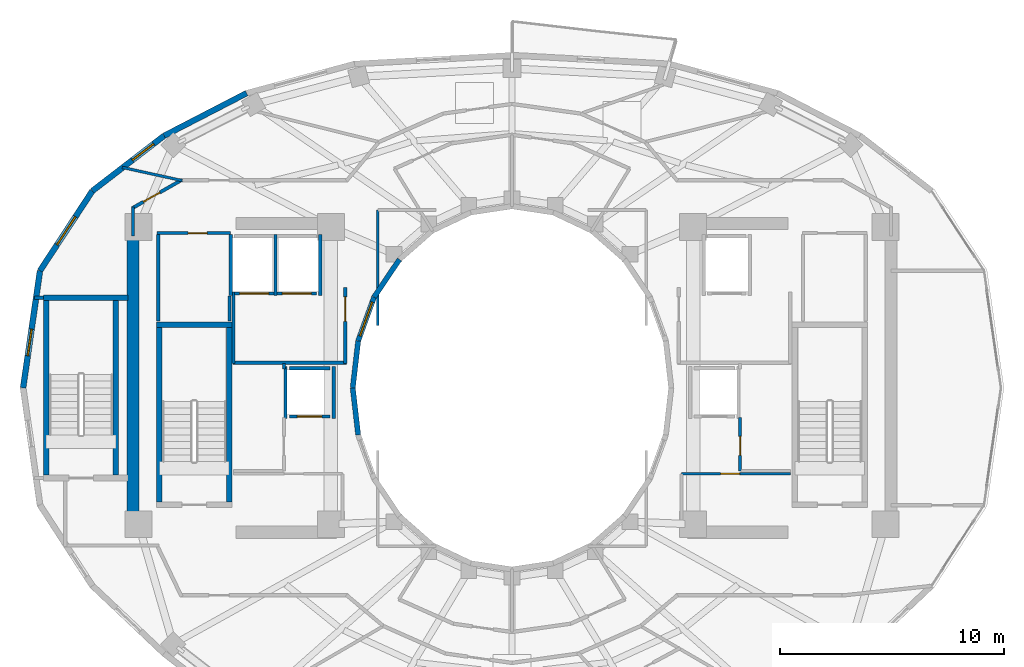
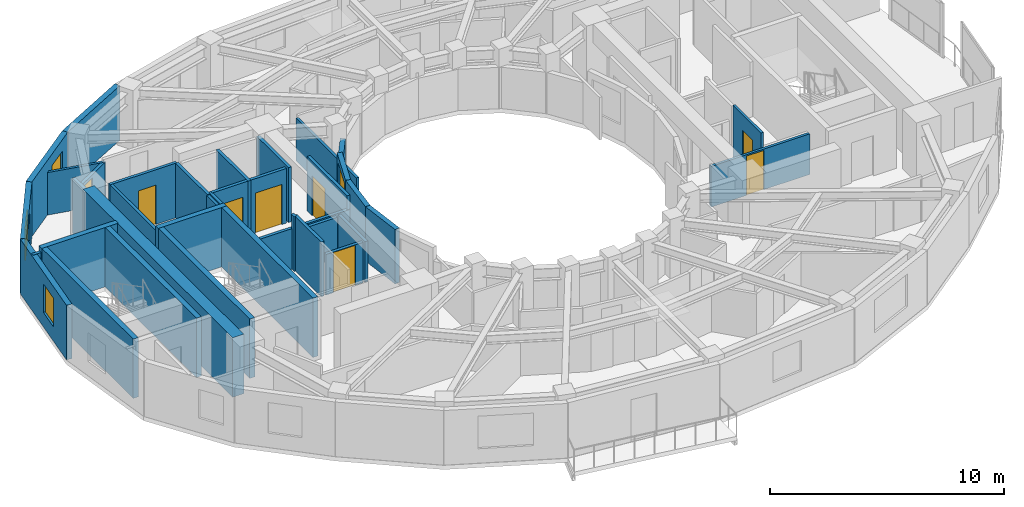
# One storey, part 7 of 12: 38 walls, 8 doors, 4 windows, 12 openings.
"""IFC4 building model written with IfcOpenShell, lengths in metres."""

from ifc_helpers import new_model, si_unit, direction, frame, frame_2d, origin, place, context, subcontext, project, spatial, rectangle, extrude, material, layer, layer_set, type_object, element, fill, save


model = new_model("IFC4")

# Units and contexts
model_context = context("Model", 3, precision=1e-05, world=origin(), true_north=direction((0.0, 1.0)))
body_context = subcontext(model_context, "Body", "Model", "MODEL_VIEW")
ifc_project = project(units=[si_unit("LENGTHUNIT", "METRE"), si_unit("AREAUNIT", "SQUARE_METRE"), si_unit("VOLUMEUNIT", "CUBIC_METRE"), si_unit("PLANEANGLEUNIT", "RADIAN"), si_unit("MASSUNIT", "GRAM", prefix="KILO")], contexts=[model_context])

# Site, building, storey
site_placement = place(None, origin())
site = spatial("IfcSite", under=ifc_project, at=site_placement, CompositionType="ELEMENT")
building_placement = place(site_placement, origin())
building = spatial("IfcBuilding", under=site, at=building_placement, Name="Solvane Sanctuary Tower", CompositionType="ELEMENT")
storey_placement = place(building_placement, frame((0.0, 0.0, 214.0)))
storey = spatial("IfcBuildingStorey", under=building, at=storey_placement, Name="L65", CompositionType="ELEMENT", Elevation=214.0)

# Walls
ifc_material_1 = material(Name="Concrete C50/60", Category="concrete")
ifc_layer_1 = layer(ifc_material_1, 0.550048828125, Name="Concrete C50/60")
ifc_layer_set_1 = layer_set([ifc_layer_1], Name="Concrete C50/60")
wall_type_1 = type_object("IfcWallType", Name="Wall W-CORE-550", PredefinedType="SHEAR", material=ifc_layer_set_1)
wall_1_placement = place(storey_placement, frame((15.050048828125, 17.050048828125, 0.0), z_axis=(0.0, 0.0, 1.0), x_axis=(0.0, 1.0, 0.0)))
element("IfcWall", 1, at=wall_1_placement, inside=storey, type_object=wall_type_1, Name="L65 Core Shear Wall WC-W", PredefinedType="SHEAR", context=body_context, shape_type="SweptSolid", body=[
    extrude(rectangle(XDim=12.800048828125, YDim=0.550048828125, at=frame_2d((6.39990234375, 0.0))), origin(), (0.0, 0.0, 1.0), 3.10009765625),
])
ifc_material_2 = material(Name="Acoustic Gypsum Partition Board")
ifc_layer_2 = layer(ifc_material_2, 0.14990234375, Name="Acoustic Gypsum Partition Board")
ifc_layer_set_2 = layer_set([ifc_layer_2], Name="Acoustic Gypsum Partition Board")
wall_type_2 = type_object("IfcWallType", Name="Wall W-CORR-150", PredefinedType="PARTITIONING", material=ifc_layer_set_2)
wall_2_placement = place(storey_placement, frame((19.52001953125, 24.1201171875, 0.0), z_axis=(0.0, 0.0, 1.0), x_axis=(1.0, 0.0, 0.0)))
element("IfcWall", 2, at=wall_2_placement, inside=storey, type_object=wall_type_2, Name="L65 West Firefighting Lobby South Wall", PredefinedType="PARTITIONING", context=body_context, shape_type="SweptSolid", body=[
    extrude(rectangle(XDim=5.080078125, YDim=0.14990234375, at=frame_2d((2.5400390625, 0.0))), origin(), (0.0, 0.0, 1.0), 2.1201171875),
])
wall_3_placement = place(storey_placement, frame((19.550048828125, 24.080078125, 0.0), z_axis=(0.0, 0.0, 1.0), x_axis=(0.0, 1.0, 0.0)))
element("IfcWall", 3, at=wall_3_placement, inside=storey, type_object=wall_type_2, Name="L65 West Firefighting Lobby West Wall", PredefinedType="PARTITIONING", context=body_context, shape_type="SweptSolid", body=[
    extrude(rectangle(XDim=3.199951171875, YDim=0.14990234375, at=frame_2d((1.60009765625, 0.0))), origin(), (0.0, 0.0, 1.0), 2.85498046875),
])

# Wall, opening, door
wall_4_placement = place(storey_placement, frame((24.550048828125, 24.080078125, 0.0), z_axis=(0.0, 0.0, 1.0), x_axis=(0.0, 1.0, 0.0)))
wall_4 = element("IfcWall", 4, at=wall_4_placement, inside=storey, type_object=wall_type_2, Name="L65 West Firefighting Lobby East Wall", PredefinedType="PARTITIONING", context=body_context, shape_type="SweptSolid", body=[
    extrude(rectangle(XDim=3.39990234375, YDim=0.14990234375, at=frame_2d((1.699951171875, 0.0))), origin(), (0.0, 0.0, 1.0), 2.85498046875),
])
opening_1_placement = place(wall_4_placement, frame((1.893798828125, 0.0, 0.0)))
opening_1 = element("IfcOpeningElement", 5, at=opening_1_placement, cuts=wall_4, Name="Opening D-L65-06", PredefinedType="OPENING", context=body_context, shape_type="SweptSolid", body=[
    extrude(rectangle(XDim=1.10009765625, YDim=2.10009765625, at=frame_2d((0.550048828125, 1.050048828125))), frame((0.0, 0.0849609375, 0.0), z_axis=(0.0, -1.0, 0.0), x_axis=(1.0, 0.0, 0.0)), (0.0, 0.0, 1.0), 0.169921875),
])
ifc_material_3 = material(Name="Architectural Stainless Steel 316", Category="steel")
door_type_1 = type_object("IfcDoorType", Name="Door D-FFL", OperationType="NOTDEFINED", PredefinedType="DOOR", material=ifc_material_3)
door_1_placement = place(opening_1_placement, origin())
door_1 = element("IfcDoor", 6, at=door_1_placement, inside=storey, type_object=door_type_1, Name="L65 West Firefighting Lobby Fire Door", OperationType="SINGLE_SWING_RIGHT", OverallHeight=2.10009765625, OverallWidth=1.10009765625, PredefinedType="DOOR", context=body_context, shape_type="SweptSolid", body=[
    extrude(rectangle(XDim=1.10009765625, YDim=2.10009765625, at=frame_2d((0.550048828125, 1.050048828125))), frame((0.0, 0.02490234375, 0.0), z_axis=(0.0, -1.0, 0.0), x_axis=(1.0, 0.0, 0.0)), (0.0, 0.0, 1.0), 0.050048828125),
])
fill(opening_1, door_1)

# Walls
wall_5_placement = place(storey_placement, frame((10.639892578125, 27.030029296875, 0.0), z_axis=(0.0, 0.0, 1.0), x_axis=(1.0, 0.0, 0.0)))
element("IfcWall", 7, at=wall_5_placement, inside=storey, type_object=wall_type_2, Name="L65 NW Corner Closer 1", PredefinedType="PARTITIONING", context=body_context, shape_type="SweptSolid", body=[
    extrude(rectangle(XDim=0.400146484375, YDim=0.14990234375, at=frame_2d((0.2001953125, 0.0))), origin(), (0.0, 0.0, 1.0), 2.85498046875),
])
wall_6_placement = place(storey_placement, frame((15.050048828125, 29.800048828125, 0.0), z_axis=(0.0, 0.0, 1.0), x_axis=(0.0, 1.0, 0.0)))
element("IfcWall", 8, at=wall_6_placement, inside=storey, type_object=wall_type_2, Name="L65 NW Corner Closer 2", PredefinedType="PARTITIONING", context=body_context, shape_type="SweptSolid", body=[
    extrude(rectangle(XDim=1.2900390625, YDim=0.14990234375, at=frame_2d((0.64501953125, 0.0))), origin(), (0.0, 0.0, 1.0), 2.85498046875),
])

# Wall, opening, door
wall_7_placement = place(storey_placement, frame((17.243408203125, 32.3046875, 0.0), z_axis=(0.0, 0.0, 1.0), x_axis=(-0.867991349648, -0.496579315857, 0.0)))
wall_7 = element("IfcWall", 9, at=wall_7_placement, inside=storey, type_object=wall_type_2, Name="L65 NW Corner Wing Wall", PredefinedType="PARTITIONING", context=body_context, shape_type="SweptSolid", body=[
    extrude(rectangle(XDim=2.56689453125, YDim=0.14990234375, at=frame_2d((1.283447265625, 0.0))), origin(), (0.0, 0.0, 1.0), 2.219970703125),
])
opening_2_placement = place(wall_7_placement, frame((1.142578125, 0.0, 0.0)))
opening_2 = element("IfcOpeningElement", 10, at=opening_2_placement, cuts=wall_7, Name="Opening D-L65-21", PredefinedType="OPENING", context=body_context, shape_type="SweptSolid", body=[
    extrude(rectangle(XDim=0.85009765625, YDim=2.050048828125, at=frame_2d((0.425048828125, 1.02490234375))), frame((0.0, 0.0849609375, 0.0), z_axis=(0.0, -1.0, 0.0), x_axis=(1.0, 0.0, 0.0)), (0.0, 0.0, 1.0), 0.169921875),
])
door_type_2 = type_object("IfcDoorType", Name="Door D-RISER", OperationType="NOTDEFINED", PredefinedType="DOOR", material=ifc_material_3)
door_2_placement = place(opening_2_placement, origin())
door_2 = element("IfcDoor", 11, at=door_2_placement, inside=storey, type_object=door_type_2, Name="L65 NW Corner Suite Door", OperationType="SINGLE_SWING_LEFT", OverallHeight=2.050048828125, OverallWidth=0.85009765625, PredefinedType="DOOR", context=body_context, shape_type="SweptSolid", body=[
    extrude(rectangle(XDim=0.85009765625, YDim=2.050048828125, at=frame_2d((0.425048828125, 1.02490234375))), frame((0.0, 0.02490234375, 0.0), z_axis=(0.0, -1.0, 0.0), x_axis=(1.0, 0.0, 0.0)), (0.0, 0.0, 1.0), 0.050048828125),
])
fill(opening_2, door_2)

# Wall
ifc_material_4 = material(Name="Precast concrete C40/50", Category="concrete")
ifc_layer_3 = layer(ifc_material_4, 0.260009765625, Name="Precast concrete C40/50")
ifc_layer_set_3 = layer_set([ifc_layer_3], Name="Precast concrete C40/50")
wall_type_3 = type_object("IfcWallType", Name="Wall W-EXT-250", PredefinedType="STANDARD", material=ifc_layer_set_3)
wall_8_placement = place(storey_placement, frame((20.1298828125, 36.177001953125, 0.0), z_axis=(0.0, 0.0, 1.0), x_axis=(-0.88849146803, -0.458893137057, 0.0)))
element("IfcWall", 12, at=wall_8_placement, inside=storey, type_object=wall_type_3, Name="L65 Ceramic-Printed Facade Wall 08", PredefinedType="STANDARD", context=body_context, shape_type="SweptSolid", body=[
    extrude(rectangle(XDim=4.150390625, YDim=0.260009765625, at=frame_2d((2.0751953125, 0.0))), origin(), (0.0, 0.0, 1.0), 2.85009765625),
])

# Wall, opening, window
wall_9_placement = place(storey_placement, frame((16.4423828125, 34.2724609375, 0.0), z_axis=(0.0, 0.0, 1.0), x_axis=(-0.792713817907, -0.609593965603, 0.0)))
wall_9 = element("IfcWall", 13, at=wall_9_placement, inside=storey, type_object=wall_type_3, Name="L65 Ceramic-Printed Facade Wall 09", PredefinedType="STANDARD", context=body_context, shape_type="SweptSolid", body=[
    extrude(rectangle(XDim=4.041015625, YDim=0.260009765625, at=frame_2d((2.0205078125, 0.0))), origin(), (0.0, 0.0, 1.0), 2.85009765625),
])
opening_3_placement = place(wall_9_placement, frame((0.58935546875, 0.0, 0.75)))
opening_3 = element("IfcOpeningElement", 14, at=opening_3_placement, cuts=wall_9, Name="Opening WN-OPER-1200", PredefinedType="OPENING", context=body_context, shape_type="SweptSolid", body=[
    extrude(rectangle(XDim=1.199951171875, YDim=1.5, at=frame_2d((0.60009765625, 0.75))), frame((0.0, 0.139892578125, 0.0), z_axis=(0.0, -1.0, 0.0), x_axis=(1.0, 0.0, 0.0)), (0.0, 0.0, 1.0), 0.280029296875),
])
ifc_material_5 = material(Name="Dark Ceramic-Fritted Low-E Glass", Category="glass")
window_type_1 = type_object("IfcWindowType", Name="Window WN-OPER-1200", PartitioningType="SINGLE_PANEL", PredefinedType="WINDOW", material=ifc_material_5)
window_1_placement = place(opening_3_placement, origin())
window_1 = element("IfcWindow", 15, at=window_1_placement, inside=storey, type_object=window_type_1, Name="L65 Operable Facade Window 09", OverallHeight=1.5, OverallWidth=1.199951171875, PartitioningType="SINGLE_PANEL", PredefinedType="WINDOW", context=body_context, shape_type="SweptSolid", body=[
    extrude(rectangle(XDim=1.199951171875, YDim=1.5, at=frame_2d((0.60009765625, 0.75))), frame((0.0, 0.030029296875, 0.0), z_axis=(0.0, -1.0, 0.0), x_axis=(1.0, 0.0, 0.0)), (0.0, 0.0, 1.0), 0.06005859375),
])
fill(opening_3, window_1)

wall_10_placement = place(storey_placement, frame((13.239013671875, 31.80908203125, 0.0), z_axis=(0.0, 0.0, 1.0), x_axis=(-0.548776305075, -0.835969238064, 0.0)))
wall_10 = element("IfcWall", 16, at=wall_10_placement, inside=storey, type_object=wall_type_3, Name="L65 Ceramic-Printed Facade Wall 10", PredefinedType="STANDARD", context=body_context, shape_type="SweptSolid", body=[
    extrude(rectangle(XDim=4.270751953125, YDim=0.260009765625, at=frame_2d((2.13525390625, 0.0))), origin(), (0.0, 0.0, 1.0), 2.85009765625),
])
opening_4_placement = place(wall_10_placement, frame((1.385498046875, 0.0, 0.75)))
opening_4 = element("IfcOpeningElement", 17, at=opening_4_placement, cuts=wall_10, Name="Opening WN-OPER-1500", PredefinedType="OPENING", context=body_context, shape_type="SweptSolid", body=[
    extrude(rectangle(XDim=1.5, YDim=1.60009765625, at=frame_2d((0.75, 0.800048828125))), frame((0.0, 0.139892578125, 0.0), z_axis=(0.0, -1.0, 0.0), x_axis=(1.0, 0.0, 0.0)), (0.0, 0.0, 1.0), 0.280029296875),
])
window_type_2 = type_object("IfcWindowType", Name="Window WN-OPER-1500", PartitioningType="SINGLE_PANEL", PredefinedType="WINDOW", material=ifc_material_5)
window_2_placement = place(opening_4_placement, origin())
window_2 = element("IfcWindow", 18, at=window_2_placement, inside=storey, type_object=window_type_2, Name="L65 Operable Facade Window 10", OverallHeight=1.60009765625, OverallWidth=1.5, PartitioningType="SINGLE_PANEL", PredefinedType="WINDOW", context=body_context, shape_type="SweptSolid", body=[
    extrude(rectangle(XDim=1.5, YDim=1.60009765625, at=frame_2d((0.75, 0.800048828125))), frame((0.0, 0.030029296875, 0.0), z_axis=(0.0, -1.0, 0.0), x_axis=(1.0, 0.0, 0.0)), (0.0, 0.0, 1.0), 0.06005859375),
])
fill(opening_4, window_2)

wall_11_placement = place(storey_placement, frame((10.895263671875, 28.23876953125, 0.0), z_axis=(0.0, 0.0, 1.0), x_axis=(-0.142712754019, -0.989764148593, 0.0)))
wall_11 = element("IfcWall", 19, at=wall_11_placement, inside=storey, type_object=wall_type_3, Name="L65 Ceramic-Printed Facade Wall 11", PredefinedType="STANDARD", context=body_context, shape_type="SweptSolid", body=[
    extrude(rectangle(XDim=5.29296875, YDim=0.260009765625, at=frame_2d((2.646484375, 0.0))), origin(), (0.0, 0.0, 1.0), 2.85009765625),
])
opening_5_placement = place(wall_11_placement, frame((2.635009765625, 0.0, 0.75)))
opening_5 = element("IfcOpeningElement", 20, at=opening_5_placement, cuts=wall_11, Name="Opening WN-OPER-1200", PredefinedType="OPENING", context=body_context, shape_type="SweptSolid", body=[
    extrude(rectangle(XDim=1.199951171875, YDim=1.5, at=frame_2d((0.60009765625, 0.75))), frame((0.0, 0.139892578125, 0.0), z_axis=(0.0, -1.0, 0.0), x_axis=(1.0, 0.0, 0.0)), (0.0, 0.0, 1.0), 0.280029296875),
])
window_3_placement = place(opening_5_placement, origin())
window_3 = element("IfcWindow", 21, at=window_3_placement, inside=storey, type_object=window_type_1, Name="L65 Operable Facade Window 11", OverallHeight=1.5, OverallWidth=1.199951171875, PartitioningType="SINGLE_PANEL", PredefinedType="WINDOW", context=body_context, shape_type="SweptSolid", body=[
    extrude(rectangle(XDim=1.199951171875, YDim=1.5, at=frame_2d((0.60009765625, 0.75))), frame((0.0, 0.030029296875, 0.0), z_axis=(0.0, -1.0, 0.0), x_axis=(1.0, 0.0, 0.0)), (0.0, 0.0, 1.0), 0.06005859375),
])
fill(opening_5, window_3)

# Wall
ifc_layer_4 = layer(ifc_material_4, 0.22998046875, Name="Precast concrete C40/50")
ifc_layer_set_4 = layer_set([ifc_layer_4], Name="Precast concrete C40/50")
wall_type_4 = type_object("IfcWallType", Name="Wall W-EXT-SP220", PredefinedType="STANDARD", material=ifc_layer_set_4)
wall_12_placement = place(storey_placement, frame((26.96533203125, 28.74169921875, 0.0), z_axis=(0.0, 0.0, 1.0), x_axis=(-0.558197800898, -0.829707909492, 0.0)))
element("IfcWall", 22, at=wall_12_placement, inside=storey, type_object=wall_type_4, Name="L65 Central Light-Well Wall 09", PredefinedType="STANDARD", context=body_context, shape_type="SweptSolid", body=[
    extrude(rectangle(XDim=2.02685546875, YDim=0.22998046875, at=frame_2d((1.013427734375, 0.0))), origin(), (0.0, 0.0, 1.0), 2.159912109375),
])

# Wall, opening, window
wall_13_placement = place(storey_placement, frame((25.833984375, 27.06005859375, 0.0), z_axis=(0.0, 0.0, 1.0), x_axis=(-0.341423187295, -0.93990968033, 0.0)))
wall_13 = element("IfcWall", 23, at=wall_13_placement, inside=storey, type_object=wall_type_4, Name="L65 Central Light-Well Wall 10", PredefinedType="STANDARD", context=body_context, shape_type="SweptSolid", body=[
    extrude(rectangle(XDim=2.083740234375, YDim=0.22998046875, at=frame_2d((1.0419921875, 0.0))), origin(), (0.0, 0.0, 1.0), 2.840087890625),
])
opening_6_placement = place(wall_13_placement, frame((0.24169921875, 0.0, 0.85009765625)))
opening_6 = element("IfcOpeningElement", 24, at=opening_6_placement, cuts=wall_13, Name="Opening WN-WELL-1600", PredefinedType="OPENING", context=body_context, shape_type="SweptSolid", body=[
    extrude(rectangle(XDim=1.60009765625, YDim=1.64990234375, at=frame_2d((0.800048828125, 0.824951171875))), frame((0.0, 0.125, 0.0), z_axis=(0.0, -1.0, 0.0), x_axis=(1.0, 0.0, 0.0)), (0.0, 0.0, 1.0), 0.25),
])
ifc_material_6 = material(Name="Clear Laminated Light-Well Glass", Category="glass")
window_type_3 = type_object("IfcWindowType", Name="Window WN-WELL-1600", PartitioningType="SINGLE_PANEL", PredefinedType="WINDOW", material=ifc_material_6)
window_4_placement = place(opening_6_placement, origin())
window_4 = element("IfcWindow", 25, at=window_4_placement, inside=storey, type_object=window_type_3, Name="L65 Light-Well Daylight Window 10", OverallHeight=1.64990234375, OverallWidth=1.60009765625, PartitioningType="SINGLE_PANEL", PredefinedType="WINDOW", context=body_context, shape_type="SweptSolid", body=[
    extrude(rectangle(XDim=1.60009765625, YDim=1.64990234375, at=frame_2d((0.800048828125, 0.824951171875))), frame((0.0, 0.030029296875, 0.0), z_axis=(0.0, -1.0, 0.0), x_axis=(1.0, 0.0, 0.0)), (0.0, 0.0, 1.0), 0.06005859375),
])
fill(opening_6, window_4)

# Walls
for number, where, z_axis, x_axis, name in (
    (26, (25.12255859375, 25.1015625, 0.0), (0.0, 0.0, 1.0), (-0.114711713601, -0.993398823617, 0.0), "L65 Central Light-Well Wall 11"),
    (27, (24.8798828125, 23.0, 0.0), (0.0, 0.0, 1.0), (0.114711713601, -0.993398823617, 0.0), "L65 Central Light-Well Wall 12"),
):
    element("IfcWall", number, at=place(storey_placement, frame(where, z_axis=z_axis, x_axis=x_axis)), inside=storey, type_object=wall_type_4, Name=name, PredefinedType="STANDARD", context=body_context, shape_type="SweptSolid", body=[
        extrude(rectangle(XDim=2.115478515625, YDim=0.22998046875, at=frame_2d((1.0576171875, 0.0))), origin(), (0.0, 0.0, 1.0), 2.840087890625),
    ])
ifc_layer_5 = layer(ifc_material_2, 0.1201171875, Name="Acoustic Gypsum Partition Board")
ifc_layer_set_5 = layer_set([ifc_layer_5], Name="Acoustic Gypsum Partition Board")
wall_type_5 = type_object("IfcWallType", Name="Wall W-MOV-100", PredefinedType="MOVABLE", material=ifc_layer_set_5)
wall_14_placement = place(storey_placement, frame((17.248779296875, 32.269287109375, 0.0), z_axis=(0.0, 0.0, 1.0), x_axis=(-0.976641849477, 0.214873678823, 0.0)))
element("IfcWall", 28, at=wall_14_placement, inside=storey, type_object=wall_type_5, Name="L65 NW Corner Suite Partition", PredefinedType="MOVABLE", context=body_context, shape_type="SweptSolid", body=[
    extrude(rectangle(XDim=2.740478515625, YDim=0.1201171875, at=frame_2d((1.3701171875, 0.0))), origin(), (0.0, 0.0, 1.0), 2.219970703125),
])

# Wall, opening, door
ifc_layer_6 = layer(ifc_material_2, 0.125, Name="Acoustic Gypsum Partition Board")
ifc_layer_set_6 = layer_set([ifc_layer_6], Name="Acoustic Gypsum Partition Board")
wall_type_6 = type_object("IfcWallType", Name="Wall W-PART-125", PredefinedType="PARTITIONING", material=ifc_layer_set_6)
wall_15_placement = place(storey_placement, frame((39.580078125, 19.159912109375, 0.0), z_axis=(0.0, 0.0, 1.0), x_axis=(1.0, 0.0, 0.0)))
wall_15 = element("IfcWall", 29, at=wall_15_placement, inside=storey, type_object=wall_type_6, Name="L65 Reclaimed Room Partition PLE", PredefinedType="PARTITIONING", context=body_context, shape_type="SweptSolid", body=[
    extrude(rectangle(XDim=4.869873046875, YDim=0.125, at=frame_2d((2.43505859375, 0.0))), origin(), (0.0, 0.0, 1.0), 2.1201171875),
])
opening_7_placement = place(wall_15_placement, frame((1.748291015625, 0.0, 0.0)))
opening_7 = element("IfcOpeningElement", 30, at=opening_7_placement, cuts=wall_15, Name="Opening D-L65-09", PredefinedType="OPENING", context=body_context, shape_type="SweptSolid", body=[
    extrude(rectangle(XDim=0.85009765625, YDim=2.050048828125, at=frame_2d((0.425048828125, 1.02490234375))), frame((0.0, 0.072509765625, 0.0), z_axis=(0.0, -1.0, 0.0), x_axis=(1.0, 0.0, 0.0)), (0.0, 0.0, 1.0), 0.14501953125),
])
door_3_placement = place(opening_7_placement, origin())
door_3 = element("IfcDoor", 31, at=door_3_placement, inside=storey, type_object=door_type_2, Name="L65 Reclaimed Room Door PLE-1", OperationType="SINGLE_SWING_LEFT", OverallHeight=2.050048828125, OverallWidth=0.85009765625, PredefinedType="DOOR", context=body_context, shape_type="SweptSolid", body=[
    extrude(rectangle(XDim=0.85009765625, YDim=2.050048828125, at=frame_2d((0.425048828125, 1.02490234375))), frame((0.0, 0.02490234375, 0.0), z_axis=(0.0, -1.0, 0.0), x_axis=(1.0, 0.0, 0.0)), (0.0, 0.0, 1.0), 0.050048828125),
])
fill(opening_7, door_3)

# Wall
wall_16_placement = place(storey_placement, frame((21.800048828125, 23.85009765625, 0.0), z_axis=(0.0, 0.0, 1.0), x_axis=(0.0, 1.0, 0.0)))
element("IfcWall", 32, at=wall_16_placement, inside=storey, type_object=wall_type_6, Name="L65 Reclaimed Room Dividing Wall PMW", PredefinedType="PARTITIONING", context=body_context, shape_type="SweptSolid", body=[
    extrude(rectangle(XDim=0.25, YDim=0.125, at=frame_2d((0.125, 0.0))), origin(), (0.0, 0.0, 1.0), 2.85498046875),
])

# Wall, opening, door
wall_17_placement = place(storey_placement, frame((42.199951171875, 19.280029296875, 0.0), z_axis=(0.0, 0.0, 1.0), x_axis=(0.0, 1.0, 0.0)))
wall_17 = element("IfcWall", 33, at=wall_17_placement, inside=storey, type_object=wall_type_6, Name="L65 Reclaimed Room Partition PME", PredefinedType="PARTITIONING", context=body_context, shape_type="SweptSolid", body=[
    extrude(rectangle(XDim=2.39990234375, YDim=0.125, at=frame_2d((1.199951171875, 0.0))), origin(), (0.0, 0.0, 1.0), 2.85498046875),
])
opening_8_placement = place(wall_17_placement, frame((0.699951171875, 0.0, 0.0)))
opening_8 = element("IfcOpeningElement", 34, at=opening_8_placement, cuts=wall_17, Name="Opening D-L65-11", PredefinedType="OPENING", context=body_context, shape_type="SweptSolid", body=[
    extrude(rectangle(XDim=0.85009765625, YDim=2.050048828125, at=frame_2d((0.425048828125, 1.02490234375))), frame((0.0, 0.072509765625, 0.0), z_axis=(0.0, -1.0, 0.0), x_axis=(1.0, 0.0, 0.0)), (0.0, 0.0, 1.0), 0.14501953125),
])
door_4_placement = place(opening_8_placement, origin())
door_4 = element("IfcDoor", 35, at=door_4_placement, inside=storey, type_object=door_type_2, Name="L65 Reclaimed Room Door PME-1", OperationType="SINGLE_SWING_LEFT", OverallHeight=2.050048828125, OverallWidth=0.85009765625, PredefinedType="DOOR", context=body_context, shape_type="SweptSolid", body=[
    extrude(rectangle(XDim=0.85009765625, YDim=2.050048828125, at=frame_2d((0.425048828125, 1.02490234375))), frame((0.0, 0.02490234375, 0.0), z_axis=(0.0, -1.0, 0.0), x_axis=(1.0, 0.0, 0.0)), (0.0, 0.0, 1.0), 0.050048828125),
])
fill(opening_8, door_4)

# Wall
wall_18_placement = place(storey_placement, frame((26.0, 25.800048828125, 0.0), z_axis=(0.0, 0.0, 1.0), x_axis=(0.0, 1.0, 0.0)))
element("IfcWall", 36, at=wall_18_placement, inside=storey, type_object=wall_type_6, Name="L65 Bridge Alcove Wall 1", PredefinedType="PARTITIONING", context=body_context, shape_type="SweptSolid", body=[
    extrude(rectangle(XDim=5.159912109375, YDim=0.125, at=frame_2d((2.580078125, 0.0))), origin(), (0.0, 0.0, 1.0), 2.23193359375),
])

# Wall, opening, door
ifc_layer_7 = layer(ifc_material_1, 0.14990234375, Name="Concrete C50/60")
ifc_layer_set_7 = layer_set([ifc_layer_7], Name="Concrete C50/60")
wall_type_7 = type_object("IfcWallType", Name="Wall W-SHAFT-150", PredefinedType="SOLIDWALL", material=ifc_layer_set_7)
wall_19_placement = place(storey_placement, frame((22.0400390625, 21.719970703125, 0.0), z_axis=(0.0, 0.0, 1.0), x_axis=(1.0, 0.0, 0.0)))
wall_19 = element("IfcWall", 37, at=wall_19_placement, inside=storey, type_object=wall_type_7, Name="L65 PH-1 Lift Shaft Wall F", PredefinedType="SOLIDWALL", context=body_context, shape_type="SweptSolid", body=[
    extrude(rectangle(XDim=1.820068359375, YDim=0.14990234375, at=frame_2d((0.91015625, 0.0))), origin(), (0.0, 0.0, 1.0), 2.1201171875),
])
opening_9_placement = place(wall_19_placement, frame((0.360107421875, 0.0, 0.0)))
opening_9 = element("IfcOpeningElement", 38, at=opening_9_placement, cuts=wall_19, Name="Opening LD-L65-01", PredefinedType="OPENING", context=body_context, shape_type="SweptSolid", body=[
    extrude(rectangle(XDim=1.10009765625, YDim=2.10009765625, at=frame_2d((0.550048828125, 1.050048828125))), frame((0.0, 0.0849609375, 0.0), z_axis=(0.0, -1.0, 0.0), x_axis=(1.0, 0.0, 0.0)), (0.0, 0.0, 1.0), 0.169921875),
])
door_type_3 = type_object("IfcDoorType", Name="Door LD-PASS-1100", OperationType="NOTDEFINED", PredefinedType="DOOR", material=ifc_material_3)
door_5_placement = place(opening_9_placement, origin())
door_5 = element("IfcDoor", 39, at=door_5_placement, inside=storey, type_object=door_type_3, Name="L65 PH-1 Lift Landing Door", OperationType="DOUBLE_DOOR_SLIDING", OverallHeight=2.10009765625, OverallWidth=1.10009765625, PredefinedType="DOOR", context=body_context, shape_type="SweptSolid", body=[
    extrude(rectangle(XDim=1.10009765625, YDim=2.10009765625, at=frame_2d((0.550048828125, 1.050048828125))), frame((0.0, 0.02490234375, 0.0), z_axis=(0.0, -1.0, 0.0), x_axis=(1.0, 0.0, 0.0)), (0.0, 0.0, 1.0), 0.050048828125),
])
fill(opening_9, door_5)

# Walls
wall_20_placement = place(storey_placement, frame((22.0400390625, 23.8798828125, 0.0), z_axis=(0.0, 0.0, 1.0), x_axis=(1.0, 0.0, 0.0)))
element("IfcWall", 40, at=wall_20_placement, inside=storey, type_object=wall_type_7, Name="L65 PH-1 Lift Shaft Wall B", PredefinedType="SOLIDWALL", context=body_context, shape_type="SweptSolid", body=[
    extrude(rectangle(XDim=1.820068359375, YDim=0.14990234375, at=frame_2d((0.91015625, 0.0))), origin(), (0.0, 0.0, 1.0), 2.1201171875),
])
wall_21_placement = place(storey_placement, frame((21.8701171875, 21.639892578125, 0.0), z_axis=(0.0, 0.0, 1.0), x_axis=(0.0, 1.0, 0.0)))
element("IfcWall", 41, at=wall_21_placement, inside=storey, type_object=wall_type_7, Name="L65 PH-1 Lift Shaft Wall S1", PredefinedType="SOLIDWALL", context=body_context, shape_type="SweptSolid", body=[
    extrude(rectangle(XDim=2.320068359375, YDim=0.14990234375, at=frame_2d((1.16015625, 0.0))), origin(), (0.0, 0.0, 1.0), 2.85498046875),
])
wall_22_placement = place(storey_placement, frame((24.030029296875, 21.639892578125, 0.0), z_axis=(0.0, 0.0, 1.0), x_axis=(0.0, 1.0, 0.0)))
element("IfcWall", 42, at=wall_22_placement, inside=storey, type_object=wall_type_7, Name="L65 PH-1 Lift Shaft Wall S2", PredefinedType="SOLIDWALL", context=body_context, shape_type="SweptSolid", body=[
    extrude(rectangle(XDim=2.320068359375, YDim=0.14990234375, at=frame_2d((1.16015625, 0.0))), origin(), (0.0, 0.0, 1.0), 2.1201171875),
])

# Wall, opening, door
wall_23_placement = place(storey_placement, frame((19.590087890625, 27.219970703125, 0.0), z_axis=(0.0, 0.0, 1.0), x_axis=(1.0, 0.0, 0.0)))
wall_23 = element("IfcWall", 43, at=wall_23_placement, inside=storey, type_object=wall_type_7, Name="L65 FFL-1 Lift Shaft Wall F", PredefinedType="SOLIDWALL", context=body_context, shape_type="SweptSolid", body=[
    extrude(rectangle(XDim=1.760009765625, YDim=0.14990234375, at=frame_2d((0.8798828125, 0.0))), origin(), (0.0, 0.0, 1.0), 2.85498046875),
])
opening_10_placement = place(wall_23_placement, frame((0.22998046875, 0.0, 0.0)))
opening_10 = element("IfcOpeningElement", 44, at=opening_10_placement, cuts=wall_23, Name="Opening LD-L65-03", PredefinedType="OPENING", context=body_context, shape_type="SweptSolid", body=[
    extrude(rectangle(XDim=1.300048828125, YDim=2.10009765625, at=frame_2d((0.64990234375, 1.050048828125))), frame((0.0, 0.0849609375, 0.0), z_axis=(0.0, -1.0, 0.0), x_axis=(1.0, 0.0, 0.0)), (0.0, 0.0, 1.0), 0.169921875),
])
door_type_4 = type_object("IfcDoorType", Name="Door LD-FFL-1300", OperationType="NOTDEFINED", PredefinedType="DOOR", material=ifc_material_3)
door_6_placement = place(opening_10_placement, origin())
door_6 = element("IfcDoor", 45, at=door_6_placement, inside=storey, type_object=door_type_4, Name="L65 FFL-1 Lift Landing Door", OperationType="DOUBLE_DOOR_SLIDING", OverallHeight=2.10009765625, OverallWidth=1.300048828125, PredefinedType="DOOR", context=body_context, shape_type="SweptSolid", body=[
    extrude(rectangle(XDim=1.300048828125, YDim=2.10009765625, at=frame_2d((0.64990234375, 1.050048828125))), frame((0.0, 0.02490234375, 0.0), z_axis=(0.0, -1.0, 0.0), x_axis=(1.0, 0.0, 0.0)), (0.0, 0.0, 1.0), 0.050048828125),
])
fill(opening_10, door_6)

# Walls
for number, where, z_axis, x_axis, name in (
    (46, (19.419921875, 27.139892578125, 0.0), (0.0, 0.0, 1.0), (0.0, 1.0, 0.0), "L65 FFL-1 Lift Shaft Wall S1"),
    (47, (21.425048828125, 27.139892578125, 0.0), (0.0, 0.0, 1.0), (0.0, 1.0, 0.0), "L65 FFL-1 Lift Shaft Wall S2"),
):
    element("IfcWall", number, at=place(storey_placement, frame(where, z_axis=z_axis, x_axis=x_axis)), inside=storey, type_object=wall_type_7, Name=name, PredefinedType="SOLIDWALL", context=body_context, shape_type="SweptSolid", body=[
        extrude(rectangle(XDim=2.72021484375, YDim=0.14990234375, at=frame_2d((1.360107421875, 0.0))), origin(), (0.0, 0.0, 1.0), 2.85498046875),
    ])

# Wall, opening, door
wall_24_placement = place(storey_placement, frame((21.5, 27.219970703125, 0.0), z_axis=(0.0, 0.0, 1.0), x_axis=(1.0, 0.0, 0.0)))
wall_24 = element("IfcWall", 48, at=wall_24_placement, inside=storey, type_object=wall_type_7, Name="L65 SVL-1 Lift Shaft Wall F", PredefinedType="SOLIDWALL", context=body_context, shape_type="SweptSolid", body=[
    extrude(rectangle(XDim=1.760009765625, YDim=0.14990234375, at=frame_2d((0.8798828125, 0.0))), origin(), (0.0, 0.0, 1.0), 2.85498046875),
])
opening_11_placement = place(wall_24_placement, frame((0.22998046875, 0.0, 0.0)))
opening_11 = element("IfcOpeningElement", 49, at=opening_11_placement, cuts=wall_24, Name="Opening LD-L65-04", PredefinedType="OPENING", context=body_context, shape_type="SweptSolid", body=[
    extrude(rectangle(XDim=1.300048828125, YDim=2.10009765625, at=frame_2d((0.64990234375, 1.050048828125))), frame((0.0, 0.0849609375, 0.0), z_axis=(0.0, -1.0, 0.0), x_axis=(1.0, 0.0, 0.0)), (0.0, 0.0, 1.0), 0.169921875),
])
door_7_placement = place(opening_11_placement, origin())
door_7 = element("IfcDoor", 50, at=door_7_placement, inside=storey, type_object=door_type_4, Name="L65 SVL-1 Lift Landing Door", OperationType="DOUBLE_DOOR_SLIDING", OverallHeight=2.10009765625, OverallWidth=1.300048828125, PredefinedType="DOOR", context=body_context, shape_type="SweptSolid", body=[
    extrude(rectangle(XDim=1.300048828125, YDim=2.10009765625, at=frame_2d((0.64990234375, 1.050048828125))), frame((0.0, 0.02490234375, 0.0), z_axis=(0.0, -1.0, 0.0), x_axis=(1.0, 0.0, 0.0)), (0.0, 0.0, 1.0), 0.050048828125),
])
fill(opening_11, door_7)

# Walls
wall_25_placement = place(storey_placement, frame((23.429931640625, 27.139892578125, 0.0), z_axis=(0.0, 0.0, 1.0), x_axis=(0.0, 1.0, 0.0)))
element("IfcWall", 51, at=wall_25_placement, inside=storey, type_object=wall_type_7, Name="L65 SVL-1 Lift Shaft Wall S2", PredefinedType="SOLIDWALL", context=body_context, shape_type="SweptSolid", body=[
    extrude(rectangle(XDim=2.72021484375, YDim=0.14990234375, at=frame_2d((1.360107421875, 0.0))), origin(), (0.0, 0.0, 1.0), 2.85498046875),
])
ifc_layer_8 = layer(ifc_material_1, 0.25, Name="Concrete C50/60")
ifc_layer_set_8 = layer_set([ifc_layer_8], Name="Concrete C50/60")
wall_type_8 = type_object("IfcWallType", Name="Wall W-SHAFT-250", PredefinedType="SOLIDWALL", material=ifc_layer_set_8)
wall_26_placement = place(storey_placement, frame((16.10498046875, 25.830078125, 0.0), z_axis=(0.0, 0.0, 1.0), x_axis=(1.0, 0.0, 0.0)))
element("IfcWall", 52, at=wall_26_placement, inside=storey, type_object=wall_type_8, Name="L65 ST-1 Load-Bearing Shaft Wall N", PredefinedType="SOLIDWALL", context=body_context, shape_type="SweptSolid", body=[
    extrude(rectangle(XDim=3.3701171875, YDim=0.25, at=frame_2d((1.68505859375, 0.0))), origin(), (0.0, 0.0, 1.0), 3.10009765625),
])
for number, where, z_axis, x_axis, name in (
    (53, (16.22998046875, 17.89501953125, 0.0), (0.0, 0.0, 1.0), (0.0, 1.0, 0.0), "L65 ST-1 Load-Bearing Shaft Wall W"),
    (54, (19.35009765625, 17.89501953125, 0.0), (0.0, 0.0, 1.0), (0.0, 1.0, 0.0), "L65 ST-1 Load-Bearing Shaft Wall E"),
):
    element("IfcWall", number, at=place(storey_placement, frame(where, z_axis=z_axis, x_axis=x_axis)), inside=storey, type_object=wall_type_8, Name=name, PredefinedType="SOLIDWALL", context=body_context, shape_type="SweptSolid", body=[
        extrude(rectangle(XDim=7.81005859375, YDim=0.25, at=frame_2d((3.905029296875, 0.0))), origin(), (0.0, 0.0, 1.0), 3.10009765625),
    ])
wall_27_placement = place(storey_placement, frame((11.044921875, 27.030029296875, 0.0), z_axis=(0.0, 0.0, 1.0), x_axis=(1.0, 0.0, 0.0)))
element("IfcWall", 55, at=wall_27_placement, inside=storey, type_object=wall_type_8, Name="L65 ST-3 Load-Bearing Shaft Wall N", PredefinedType="SOLIDWALL", context=body_context, shape_type="SweptSolid", body=[
    extrude(rectangle(XDim=3.781982421875, YDim=0.25, at=frame_2d((1.89111328125, 0.0))), origin(), (0.0, 0.0, 1.0), 3.10009765625),
])
for number, where, z_axis, x_axis, name in (
    (56, (11.169921875, 19.094970703125, 0.0), (0.0, 0.0, 1.0), (0.0, 1.0, 0.0), "L65 ST-3 Load-Bearing Shaft Wall W"),
    (57, (14.2900390625, 19.094970703125, 0.0), (0.0, 0.0, 1.0), (0.0, 1.0, 0.0), "L65 ST-3 Load-Bearing Shaft Wall E"),
):
    element("IfcWall", number, at=place(storey_placement, frame(where, z_axis=z_axis, x_axis=x_axis)), inside=storey, type_object=wall_type_8, Name=name, PredefinedType="SOLIDWALL", context=body_context, shape_type="SweptSolid", body=[
        extrude(rectangle(XDim=7.81005859375, YDim=0.25, at=frame_2d((3.905029296875, 0.0))), origin(), (0.0, 0.0, 1.0), 3.10009765625),
    ])

# Wall, opening, door
ifc_layer_9 = layer(ifc_material_2, 0.139892578125, Name="Acoustic Gypsum Partition Board")
ifc_layer_set_9 = layer_set([ifc_layer_9], Name="Acoustic Gypsum Partition Board")
wall_type_9 = type_object("IfcWallType", Name="Wall W-WET-140", PredefinedType="PLUMBINGWALL", material=ifc_layer_set_9)
wall_28_placement = place(storey_placement, frame((16.1201171875, 29.919921875, 0.0), z_axis=(0.0, 0.0, 1.0), x_axis=(1.0, 0.0, 0.0)))
wall_28 = element("IfcWall", 58, at=wall_28_placement, inside=storey, type_object=wall_type_9, Name="L65 Core Service Front Wall KW0", PredefinedType="PLUMBINGWALL", context=body_context, shape_type="SweptSolid", body=[
    extrude(rectangle(XDim=3.2998046875, YDim=0.139892578125, at=frame_2d((1.64990234375, 0.0))), origin(), (0.0, 0.0, 1.0), 2.85498046875),
])
opening_12_placement = place(wall_28_placement, frame((1.3994140625, 0.0, 0.0)))
opening_12 = element("IfcOpeningElement", 59, at=opening_12_placement, cuts=wall_28, Name="Opening D-L65-12", PredefinedType="OPENING", context=body_context, shape_type="SweptSolid", body=[
    extrude(rectangle(XDim=0.85009765625, YDim=2.050048828125, at=frame_2d((0.425048828125, 1.02490234375))), frame((0.0, 0.079833984375, 0.0), z_axis=(0.0, -1.0, 0.0), x_axis=(1.0, 0.0, 0.0)), (0.0, 0.0, 1.0), 0.159912109375),
])
door_8_placement = place(opening_12_placement, origin())
door_8 = element("IfcDoor", 60, at=door_8_placement, inside=storey, type_object=door_type_2, Name="L65 Core Service Room Door KW0-1", OperationType="SINGLE_SWING_RIGHT", OverallHeight=2.050048828125, OverallWidth=0.85009765625, PredefinedType="DOOR", context=body_context, shape_type="SweptSolid", body=[
    extrude(rectangle(XDim=0.85009765625, YDim=2.050048828125, at=frame_2d((0.425048828125, 1.02490234375))), frame((0.0, 0.02490234375, 0.0), z_axis=(0.0, -1.0, 0.0), x_axis=(1.0, 0.0, 0.0)), (0.0, 0.0, 1.0), 0.050048828125),
])
fill(opening_12, door_8)

# Walls
wall_29_placement = place(storey_placement, frame((16.179931640625, 25.97998046875, 0.0), z_axis=(0.0, 0.0, 1.0), x_axis=(0.0, 1.0, 0.0)))
element("IfcWall", 61, at=wall_29_placement, inside=storey, type_object=wall_type_9, Name="L65 Core Service Side Wall KW0-1", PredefinedType="PLUMBINGWALL", context=body_context, shape_type="SweptSolid", body=[
    extrude(rectangle(XDim=3.880126953125, YDim=0.139892578125, at=frame_2d((1.93994140625, 0.0))), origin(), (0.0, 0.0, 1.0), 2.85498046875),
])
wall_30_placement = place(storey_placement, frame((19.360107421875, 25.97998046875, 0.0), z_axis=(0.0, 0.0, 1.0), x_axis=(0.0, 1.0, 0.0)))
element("IfcWall", 62, at=wall_30_placement, inside=storey, type_object=wall_type_9, Name="L65 Core Service Side Wall KW0-2", PredefinedType="PLUMBINGWALL", context=body_context, shape_type="SweptSolid", body=[
    extrude(rectangle(XDim=1.1201171875, YDim=0.139892578125, at=frame_2d((0.56005859375, 0.0))), origin(), (0.0, 0.0, 1.0), 2.85498046875),
])

save(model, "model.ifc")
